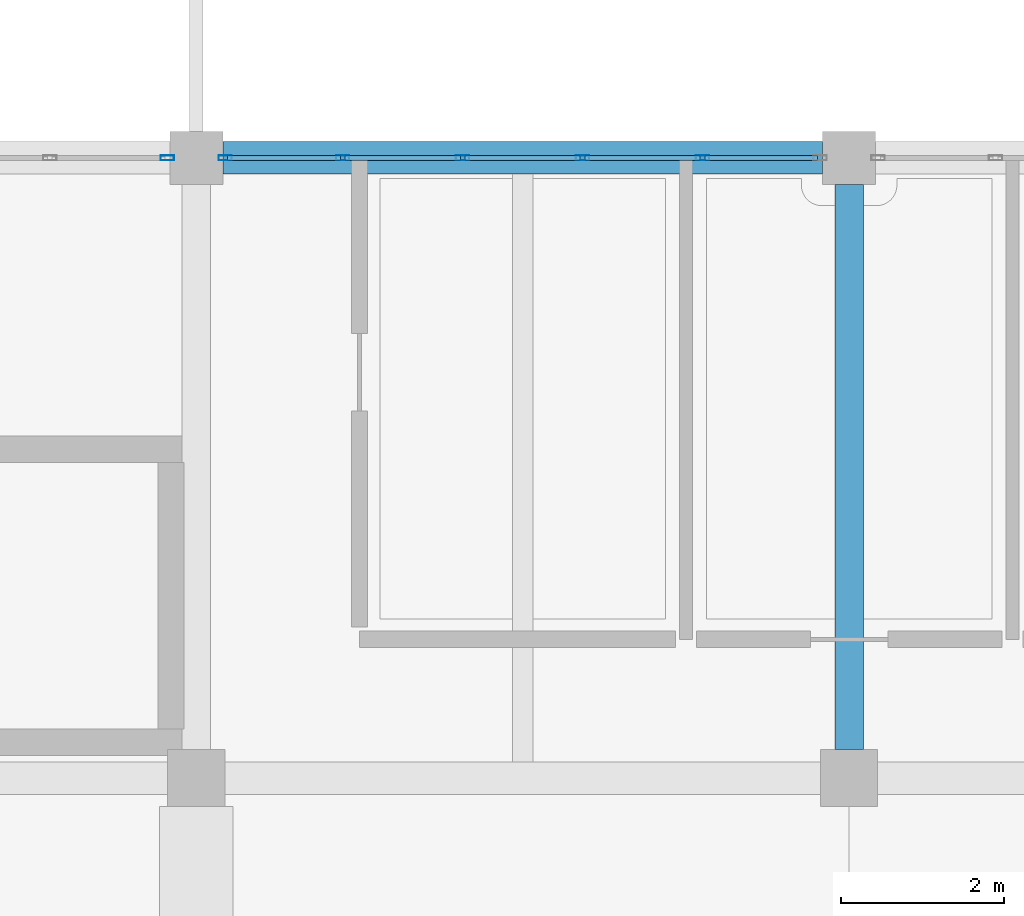
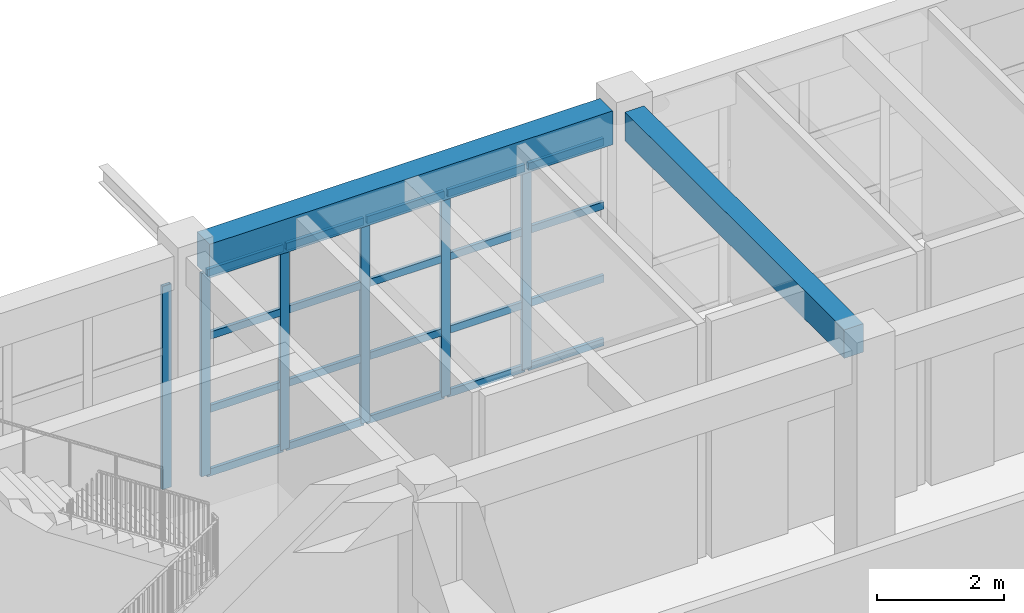
# One storey, part 16 of 50: 26 members, 2 beams, 2 elements without a shape of their own.
"""IFC4 building model written with IfcOpenShell, lengths in metres."""

from ifc_helpers import new_model, si_unit, direction, frame, origin, origin_2d, place, context, subcontext, project, spatial, rectangle, hollow_rectangle, extrude, material, material_profile, profile_set, type_object, element, aggregate, save


model = new_model("IFC4")

# Units and contexts
model_context = context("Model", 3, precision=1e-05, world=origin(), true_north=direction((0.0, 1.0)))
body_context = subcontext(model_context, "Body", "Model", "MODEL_VIEW")
ifc_project = project(units=[si_unit("LENGTHUNIT", "METRE"), si_unit("AREAUNIT", "SQUARE_METRE"), si_unit("VOLUMEUNIT", "CUBIC_METRE"), si_unit("PLANEANGLEUNIT", "RADIAN"), si_unit("MASSUNIT", "GRAM", prefix="KILO")], contexts=[model_context])

# Site, building, storey
site_placement = place(None, origin())
site = spatial("IfcSite", under=ifc_project, at=site_placement, CompositionType="ELEMENT")
building_placement = place(site_placement, origin())
building = spatial("IfcBuilding", under=site, at=building_placement, Name="Zantavel Square City Hall", CompositionType="ELEMENT")
storey_placement = place(building_placement, frame((0.0, 0.0, 18.89990234375)))
storey = spatial("IfcBuildingStorey", under=building, at=storey_placement, Name="L05", CompositionType="ELEMENT", Elevation=18.89990234375)

# Curtain wall, member
ifc_material_1 = material(Name="Anodised aluminium 6063-T6", Category="aluminium")
curtain_wall_type = type_object("IfcCurtainWallType", Name="Curtain Wall TRV1 7350x3920", PredefinedType="USERDEFINED", material=ifc_material_1)
curtain_wall_1_placement = place(storey_placement, origin())
curtain_wall_1 = element("IfcCurtainWall", 1, at=curtain_wall_1_placement, inside=storey, type_object=curtain_wall_type, Name="L05 Glazed Curtain Wall CW-L05-123", ObjectType="GLAZED CURTAIN WALL", PredefinedType="USERDEFINED")
ifc_material_profile_1 = material_profile(ifc_material_1, hollow_rectangle(XDim=0.06005859375, YDim=0.1650390625, WallThickness=0.00390625, at=origin_2d()), Name="ALU 60x165x4")
ifc_profile_set_1 = profile_set([ifc_material_profile_1], Name="Anodised aluminium 6063-T6")
member_type_1 = type_object("IfcMemberType", Name="CW Council Gallery Mullion ALU 60x165x4", PredefinedType="MULLION", material=ifc_profile_set_1)
member_1_placement = place(storey_placement, frame((71.64501953125, 68.39990234375, 0.0), z_axis=(0.0, 0.0, 1.0), x_axis=(0.0, 1.0, 0.0)))
member_1 = element("IfcMember", 2, at=member_1_placement, type_object=member_type_1, Name="CW-123 mullion 6", PredefinedType="MULLION", context=body_context, shape_type="SweptSolid", body=[
    extrude(hollow_rectangle(XDim=0.06005859375, YDim=0.1650390625, WallThickness=0.00390625, at=origin_2d()), origin(), (0.0, 0.0, 1.0), 3.920166015625),
])
aggregate(curtain_wall_1, [member_1])

# Curtain wall, members
curtain_wall_2_placement = place(storey_placement, origin())
curtain_wall_2 = element("IfcCurtainWall", 3, at=curtain_wall_2_placement, inside=storey, type_object=curtain_wall_type, Name="L05 Glazed Curtain Wall CW-L05-124", ObjectType="GLAZED CURTAIN WALL", PredefinedType="USERDEFINED")
member_2_placement = place(storey_placement, frame((72.35498046875, 68.39990234375, 0.0), z_axis=(0.0, 0.0, 1.0), x_axis=(0.0, 1.0, 0.0)))
member_2 = element("IfcMember", 4, at=member_2_placement, type_object=member_type_1, Name="CW-124 mullion 1", PredefinedType="MULLION", context=body_context, shape_type="SweptSolid", body=[
    extrude(hollow_rectangle(XDim=0.06005859375, YDim=0.1650390625, WallThickness=0.00390625, at=origin_2d()), origin(), (0.0, 0.0, 1.0), 3.920166015625),
])
member_3_placement = place(storey_placement, frame((73.794921875, 68.39990234375, 0.0), z_axis=(0.0, 0.0, 1.0), x_axis=(0.0, 1.0, 0.0)))
member_3 = element("IfcMember", 5, at=member_3_placement, type_object=member_type_1, Name="CW-124 mullion 2", PredefinedType="MULLION", context=body_context, shape_type="SweptSolid", body=[
    extrude(hollow_rectangle(XDim=0.06005859375, YDim=0.1650390625, WallThickness=0.00390625, at=origin_2d()), origin(), (0.0, 0.0, 1.0), 3.920166015625),
])
member_4_placement = place(storey_placement, frame((75.264892578125, 68.39990234375, 0.0), z_axis=(0.0, 0.0, 1.0), x_axis=(0.0, 1.0, 0.0)))
member_4 = element("IfcMember", 6, at=member_4_placement, type_object=member_type_1, Name="CW-124 mullion 3", PredefinedType="MULLION", context=body_context, shape_type="SweptSolid", body=[
    extrude(hollow_rectangle(XDim=0.06005859375, YDim=0.1650390625, WallThickness=0.00390625, at=origin_2d()), origin(), (0.0, 0.0, 1.0), 3.920166015625),
])
member_5_placement = place(storey_placement, frame((76.735107421875, 68.39990234375, 0.0), z_axis=(0.0, 0.0, 1.0), x_axis=(0.0, 1.0, 0.0)))
member_5 = element("IfcMember", 7, at=member_5_placement, type_object=member_type_1, Name="CW-124 mullion 4", PredefinedType="MULLION", context=body_context, shape_type="SweptSolid", body=[
    extrude(hollow_rectangle(XDim=0.06005859375, YDim=0.1650390625, WallThickness=0.00390625, at=origin_2d()), origin(), (0.0, 0.0, 1.0), 3.920166015625),
])
member_6_placement = place(storey_placement, frame((78.205078125, 68.39990234375, 0.0), z_axis=(0.0, 0.0, 1.0), x_axis=(0.0, 1.0, 0.0)))
member_6 = element("IfcMember", 8, at=member_6_placement, type_object=member_type_1, Name="CW-124 mullion 5", PredefinedType="MULLION", context=body_context, shape_type="SweptSolid", body=[
    extrude(hollow_rectangle(XDim=0.06005859375, YDim=0.1650390625, WallThickness=0.00390625, at=origin_2d()), origin(), (0.0, 0.0, 1.0), 3.920166015625),
])
ifc_material_profile_2 = material_profile(ifc_material_1, hollow_rectangle(XDim=0.06005859375, YDim=0.139892578125, WallThickness=0.00390625, at=origin_2d()), Name="ALU 60x140x4")
ifc_profile_set_2 = profile_set([ifc_material_profile_2], Name="Anodised aluminium 6063-T6")
member_type_2 = type_object("IfcMemberType", Name="CW Transom ALU 60x140x4", PredefinedType="USERDEFINED", material=ifc_profile_set_2)
member_7_placement = place(storey_placement, frame((72.385009765625, 68.39990234375, 0.030029296875), z_axis=(1.0, 0.0, 0.0), x_axis=(0.0, 1.0, 0.0)))
member_7 = element("IfcMember", 9, at=member_7_placement, type_object=member_type_2, Name="CW-124 transom 1.1", ObjectType="TRANSOM", PredefinedType="USERDEFINED", context=body_context, shape_type="SweptSolid", body=[
    extrude(hollow_rectangle(XDim=0.06005859375, YDim=0.139892578125, WallThickness=0.00390625, at=origin_2d()), origin(), (0.0, 0.0, 1.0), 1.3798828125),
])
member_8_placement = place(storey_placement, frame((72.385009765625, 68.39990234375, 1.254150390625), z_axis=(1.0, 0.0, 0.0), x_axis=(0.0, 1.0, 0.0)))
member_8 = element("IfcMember", 10, at=member_8_placement, type_object=member_type_2, Name="CW-124 transom 1.2", ObjectType="TRANSOM", PredefinedType="USERDEFINED", context=body_context, shape_type="SweptSolid", body=[
    extrude(hollow_rectangle(XDim=0.06005859375, YDim=0.139892578125, WallThickness=0.00390625, at=origin_2d()), origin(), (0.0, 0.0, 1.0), 1.3798828125),
])
member_9_placement = place(storey_placement, frame((72.385009765625, 68.39990234375, 2.666015625), z_axis=(1.0, 0.0, 0.0), x_axis=(0.0, 1.0, 0.0)))
member_9 = element("IfcMember", 11, at=member_9_placement, type_object=member_type_2, Name="CW-124 transom 1.3", ObjectType="TRANSOM", PredefinedType="USERDEFINED", context=body_context, shape_type="SweptSolid", body=[
    extrude(hollow_rectangle(XDim=0.06005859375, YDim=0.139892578125, WallThickness=0.00390625, at=origin_2d()), origin(), (0.0, 0.0, 1.0), 1.3798828125),
])
member_10_placement = place(storey_placement, frame((72.385009765625, 68.39990234375, 3.89013671875), z_axis=(1.0, 0.0, 0.0), x_axis=(0.0, 1.0, 0.0)))
member_10 = element("IfcMember", 12, at=member_10_placement, type_object=member_type_2, Name="CW-124 transom 1.4", ObjectType="TRANSOM", PredefinedType="USERDEFINED", context=body_context, shape_type="SweptSolid", body=[
    extrude(hollow_rectangle(XDim=0.06005859375, YDim=0.139892578125, WallThickness=0.00390625, at=origin_2d()), origin(), (0.0, 0.0, 1.0), 1.3798828125),
])
member_11_placement = place(storey_placement, frame((73.824951171875, 68.39990234375, 0.030029296875), z_axis=(1.0, 0.0, 0.0), x_axis=(0.0, 1.0, 0.0)))
member_11 = element("IfcMember", 13, at=member_11_placement, type_object=member_type_2, Name="CW-124 transom 2.1", ObjectType="TRANSOM", PredefinedType="USERDEFINED", context=body_context, shape_type="SweptSolid", body=[
    extrude(hollow_rectangle(XDim=0.06005859375, YDim=0.139892578125, WallThickness=0.00390625, at=origin_2d()), origin(), (0.0, 0.0, 1.0), 1.41015625),
])
member_12_placement = place(storey_placement, frame((73.824951171875, 68.39990234375, 1.254150390625), z_axis=(1.0, 0.0, 0.0), x_axis=(0.0, 1.0, 0.0)))
member_12 = element("IfcMember", 14, at=member_12_placement, type_object=member_type_2, Name="CW-124 transom 2.2", ObjectType="TRANSOM", PredefinedType="USERDEFINED", context=body_context, shape_type="SweptSolid", body=[
    extrude(hollow_rectangle(XDim=0.06005859375, YDim=0.139892578125, WallThickness=0.00390625, at=origin_2d()), origin(), (0.0, 0.0, 1.0), 1.41015625),
])
member_13_placement = place(storey_placement, frame((73.824951171875, 68.39990234375, 2.666015625), z_axis=(1.0, 0.0, 0.0), x_axis=(0.0, 1.0, 0.0)))
member_13 = element("IfcMember", 15, at=member_13_placement, type_object=member_type_2, Name="CW-124 transom 2.3", ObjectType="TRANSOM", PredefinedType="USERDEFINED", context=body_context, shape_type="SweptSolid", body=[
    extrude(hollow_rectangle(XDim=0.06005859375, YDim=0.139892578125, WallThickness=0.00390625, at=origin_2d()), origin(), (0.0, 0.0, 1.0), 1.41015625),
])
member_14_placement = place(storey_placement, frame((73.824951171875, 68.39990234375, 3.89013671875), z_axis=(1.0, 0.0, 0.0), x_axis=(0.0, 1.0, 0.0)))
member_14 = element("IfcMember", 16, at=member_14_placement, type_object=member_type_2, Name="CW-124 transom 2.4", ObjectType="TRANSOM", PredefinedType="USERDEFINED", context=body_context, shape_type="SweptSolid", body=[
    extrude(hollow_rectangle(XDim=0.06005859375, YDim=0.139892578125, WallThickness=0.00390625, at=origin_2d()), origin(), (0.0, 0.0, 1.0), 1.41015625),
])
member_15_placement = place(storey_placement, frame((75.294921875, 68.39990234375, 0.030029296875), z_axis=(1.0, 0.0, 0.0), x_axis=(0.0, 1.0, 0.0)))
member_15 = element("IfcMember", 17, at=member_15_placement, type_object=member_type_2, Name="CW-124 transom 3.1", ObjectType="TRANSOM", PredefinedType="USERDEFINED", context=body_context, shape_type="SweptSolid", body=[
    extrude(hollow_rectangle(XDim=0.06005859375, YDim=0.139892578125, WallThickness=0.00390625, at=origin_2d()), origin(), (0.0, 0.0, 1.0), 1.41015625),
])
member_16_placement = place(storey_placement, frame((75.294921875, 68.39990234375, 1.254150390625), z_axis=(1.0, 0.0, 0.0), x_axis=(0.0, 1.0, 0.0)))
member_16 = element("IfcMember", 18, at=member_16_placement, type_object=member_type_2, Name="CW-124 transom 3.2", ObjectType="TRANSOM", PredefinedType="USERDEFINED", context=body_context, shape_type="SweptSolid", body=[
    extrude(hollow_rectangle(XDim=0.06005859375, YDim=0.139892578125, WallThickness=0.00390625, at=origin_2d()), origin(), (0.0, 0.0, 1.0), 1.41015625),
])
member_17_placement = place(storey_placement, frame((75.294921875, 68.39990234375, 2.666015625), z_axis=(1.0, 0.0, 0.0), x_axis=(0.0, 1.0, 0.0)))
member_17 = element("IfcMember", 19, at=member_17_placement, type_object=member_type_2, Name="CW-124 transom 3.3", ObjectType="TRANSOM", PredefinedType="USERDEFINED", context=body_context, shape_type="SweptSolid", body=[
    extrude(hollow_rectangle(XDim=0.06005859375, YDim=0.139892578125, WallThickness=0.00390625, at=origin_2d()), origin(), (0.0, 0.0, 1.0), 1.41015625),
])
member_18_placement = place(storey_placement, frame((75.294921875, 68.39990234375, 3.89013671875), z_axis=(1.0, 0.0, 0.0), x_axis=(0.0, 1.0, 0.0)))
member_18 = element("IfcMember", 20, at=member_18_placement, type_object=member_type_2, Name="CW-124 transom 3.4", ObjectType="TRANSOM", PredefinedType="USERDEFINED", context=body_context, shape_type="SweptSolid", body=[
    extrude(hollow_rectangle(XDim=0.06005859375, YDim=0.139892578125, WallThickness=0.00390625, at=origin_2d()), origin(), (0.0, 0.0, 1.0), 1.41015625),
])
member_19_placement = place(storey_placement, frame((76.764892578125, 68.39990234375, 0.030029296875), z_axis=(1.0, 0.0, 0.0), x_axis=(0.0, 1.0, 0.0)))
member_19 = element("IfcMember", 21, at=member_19_placement, type_object=member_type_2, Name="CW-124 transom 4.1", ObjectType="TRANSOM", PredefinedType="USERDEFINED", context=body_context, shape_type="SweptSolid", body=[
    extrude(hollow_rectangle(XDim=0.06005859375, YDim=0.139892578125, WallThickness=0.00390625, at=origin_2d()), origin(), (0.0, 0.0, 1.0), 1.41015625),
])
member_20_placement = place(storey_placement, frame((76.764892578125, 68.39990234375, 1.254150390625), z_axis=(1.0, 0.0, 0.0), x_axis=(0.0, 1.0, 0.0)))
member_20 = element("IfcMember", 22, at=member_20_placement, type_object=member_type_2, Name="CW-124 transom 4.2", ObjectType="TRANSOM", PredefinedType="USERDEFINED", context=body_context, shape_type="SweptSolid", body=[
    extrude(hollow_rectangle(XDim=0.06005859375, YDim=0.139892578125, WallThickness=0.00390625, at=origin_2d()), origin(), (0.0, 0.0, 1.0), 1.41015625),
])
member_21_placement = place(storey_placement, frame((76.764892578125, 68.39990234375, 2.666015625), z_axis=(1.0, 0.0, 0.0), x_axis=(0.0, 1.0, 0.0)))
member_21 = element("IfcMember", 23, at=member_21_placement, type_object=member_type_2, Name="CW-124 transom 4.3", ObjectType="TRANSOM", PredefinedType="USERDEFINED", context=body_context, shape_type="SweptSolid", body=[
    extrude(hollow_rectangle(XDim=0.06005859375, YDim=0.139892578125, WallThickness=0.00390625, at=origin_2d()), origin(), (0.0, 0.0, 1.0), 1.41015625),
])
member_22_placement = place(storey_placement, frame((76.764892578125, 68.39990234375, 3.89013671875), z_axis=(1.0, 0.0, 0.0), x_axis=(0.0, 1.0, 0.0)))
member_22 = element("IfcMember", 24, at=member_22_placement, type_object=member_type_2, Name="CW-124 transom 4.4", ObjectType="TRANSOM", PredefinedType="USERDEFINED", context=body_context, shape_type="SweptSolid", body=[
    extrude(hollow_rectangle(XDim=0.06005859375, YDim=0.139892578125, WallThickness=0.00390625, at=origin_2d()), origin(), (0.0, 0.0, 1.0), 1.41015625),
])
member_23_placement = place(storey_placement, frame((78.235107421875, 68.39990234375, 0.030029296875), z_axis=(1.0, 0.0, 0.0), x_axis=(0.0, 1.0, 0.0)))
member_23 = element("IfcMember", 25, at=member_23_placement, type_object=member_type_2, Name="CW-124 transom 5.1", ObjectType="TRANSOM", PredefinedType="USERDEFINED", context=body_context, shape_type="SweptSolid", body=[
    extrude(hollow_rectangle(XDim=0.06005859375, YDim=0.139892578125, WallThickness=0.00390625, at=origin_2d()), origin(), (0.0, 0.0, 1.0), 1.3798828125),
])
member_24_placement = place(storey_placement, frame((78.235107421875, 68.39990234375, 1.254150390625), z_axis=(1.0, 0.0, 0.0), x_axis=(0.0, 1.0, 0.0)))
member_24 = element("IfcMember", 26, at=member_24_placement, type_object=member_type_2, Name="CW-124 transom 5.2", ObjectType="TRANSOM", PredefinedType="USERDEFINED", context=body_context, shape_type="SweptSolid", body=[
    extrude(hollow_rectangle(XDim=0.06005859375, YDim=0.139892578125, WallThickness=0.00390625, at=origin_2d()), origin(), (0.0, 0.0, 1.0), 1.3798828125),
])
member_25_placement = place(storey_placement, frame((78.235107421875, 68.39990234375, 2.666015625), z_axis=(1.0, 0.0, 0.0), x_axis=(0.0, 1.0, 0.0)))
member_25 = element("IfcMember", 27, at=member_25_placement, type_object=member_type_2, Name="CW-124 transom 5.3", ObjectType="TRANSOM", PredefinedType="USERDEFINED", context=body_context, shape_type="SweptSolid", body=[
    extrude(hollow_rectangle(XDim=0.06005859375, YDim=0.139892578125, WallThickness=0.00390625, at=origin_2d()), origin(), (0.0, 0.0, 1.0), 1.3798828125),
])
member_26_placement = place(storey_placement, frame((78.235107421875, 68.39990234375, 3.89013671875), z_axis=(1.0, 0.0, 0.0), x_axis=(0.0, 1.0, 0.0)))
member_26 = element("IfcMember", 28, at=member_26_placement, type_object=member_type_2, Name="CW-124 transom 5.4", ObjectType="TRANSOM", PredefinedType="USERDEFINED", context=body_context, shape_type="SweptSolid", body=[
    extrude(hollow_rectangle(XDim=0.06005859375, YDim=0.139892578125, WallThickness=0.00390625, at=origin_2d()), origin(), (0.0, 0.0, 1.0), 1.3798828125),
])
aggregate(curtain_wall_2, [member_2, member_3, member_4, member_5, member_6, member_7, member_8, member_9, member_10, member_11, member_12, member_13, member_14, member_15, member_16, member_17, member_18, member_19, member_20, member_21, member_22, member_23, member_24, member_25, member_26])

# Beams
ifc_material_2 = material(Name="Concrete C35/45", Category="concrete")
ifc_material_profile_3 = material_profile(ifc_material_2, rectangle(XDim=0.39990234375, YDim=0.64990234375, at=origin_2d()), Name="RC 400x650")
ifc_profile_set_3 = profile_set([ifc_material_profile_3], Name="Concrete C35/45")
beam_type_1 = type_object("IfcBeamType", Name="Frame Beam RC 400x650 C35/45", PredefinedType="BEAM", material=ifc_profile_set_3)
beam_1_placement = place(storey_placement, frame((72.324951171875, 68.39990234375, 4.2451171875), z_axis=(1.0, 0.0, 0.0), x_axis=(0.0, 1.0, 0.0)))
element("IfcBeam", 29, at=beam_1_placement, inside=storey, type_object=beam_type_1, Name="L05 Girder BMX-L05-0720-0684", PredefinedType="BEAM", context=body_context, shape_type="SweptSolid", body=[
    extrude(rectangle(XDim=0.39990234375, YDim=0.64990234375, at=origin_2d()), origin(), (0.0, 0.0, 1.0), 7.35009765625),
])
ifc_material_profile_4 = material_profile(ifc_material_2, rectangle(XDim=0.35009765625, YDim=0.550048828125, at=origin_2d()), Name="RC 350x550")
ifc_profile_set_4 = profile_set([ifc_material_profile_4], Name="Concrete C35/45")
beam_type_2 = type_object("IfcBeamType", Name="Secondary Beam RC 350x550 C35/45", PredefinedType="BEAM", material=ifc_profile_set_4)
beam_2_placement = place(storey_placement, frame((80.0, 61.14990234375, 4.295166015625), z_axis=(0.0, 1.0, 0.0), x_axis=(-1.0, 0.0, 0.0)))
element("IfcBeam", 30, at=beam_2_placement, inside=storey, type_object=beam_type_2, Name="L05 Beam BMY-L05-0800-0608", PredefinedType="BEAM", context=body_context, shape_type="SweptSolid", body=[
    extrude(rectangle(XDim=0.35009765625, YDim=0.550048828125, at=origin_2d()), origin(), (0.0, 0.0, 1.0), 6.925048828125),
])

save(model, "model.ifc")
